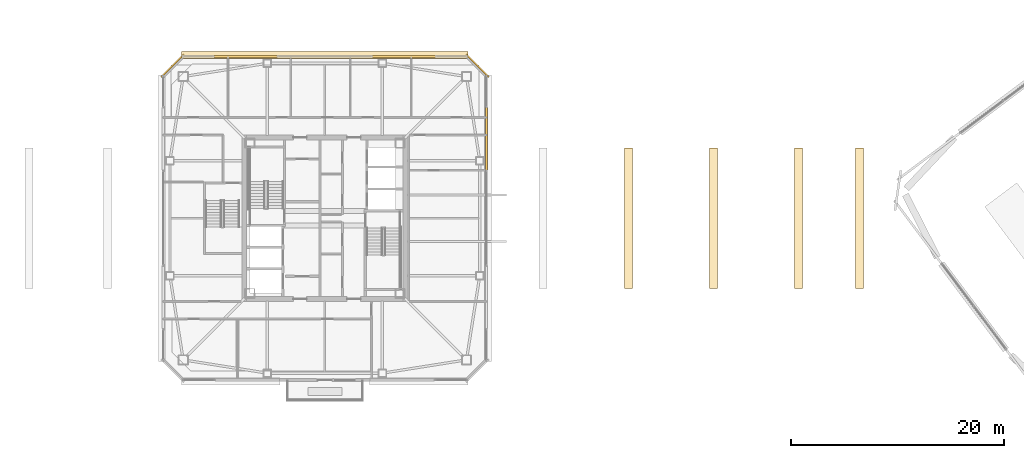
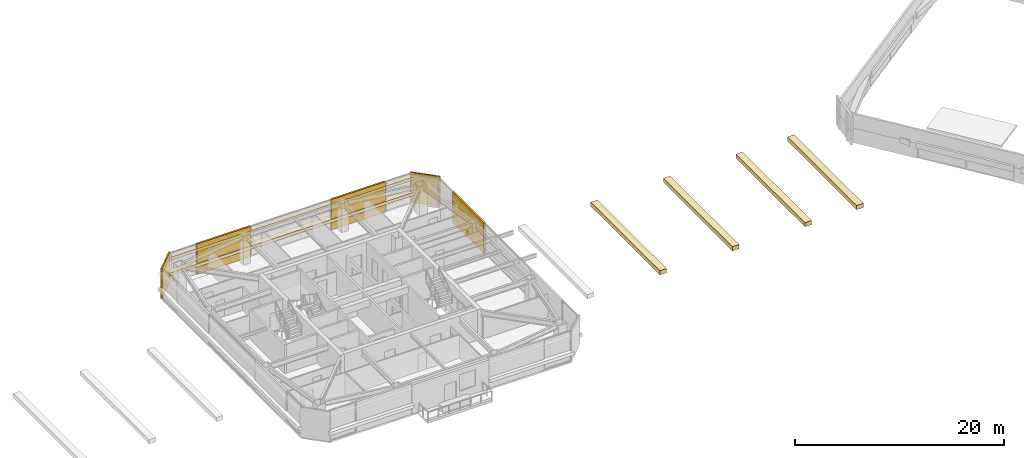
# One storey, part 31 of 31: 11 coverings.
"""IFC4 building model written with IfcOpenShell, lengths in metres."""

import ifcopenshell
import ifcopenshell.guid

model = None  # the IFC model being written
_history = None  # IfcOwnerHistory: only IFC2X3 demands one
_inside = {}  # id of a spatial element -> (the spatial element, [elements in it])
_under = {}  # id of a project, library or spatial element -> (it, [spatial elements below it])
_declared = {}  # id of a project -> (the project, [libraries it declares])
_typed = {}  # id of a type object -> (the type object, [elements of that type])
_made_of = {}  # id of a material, layer set ... -> (it, [elements and type objects made of it])


def new_model(schema):
    """Start an empty IFC model of exactly this schema.

    Asked for "IFC4X3", IfcOpenShell would pick the latest addendum, in which some entities
    have other attributes; the version numbers below select the first issue.
    IFC2X3 requires an IfcOwnerHistory on every rooted entity: one is made here for all.
    """
    global model, _history
    if schema == "IFC4X3":
        model = ifcopenshell.file(schema_version=(4, 3, 0, 0))
    else:
        model = ifcopenshell.file(schema=schema)
    _inside.clear()
    _under.clear()
    _declared.clear()
    _typed.clear()
    _made_of.clear()
    _history = None
    if model.schema == "IFC2X3":
        org = make("IfcOrganization", Name="unknown")
        user = make(
            "IfcPersonAndOrganization",
            ThePerson=make("IfcPerson", FamilyName="unknown"),
            TheOrganization=org,
        )
        app = make(
            "IfcApplication",
            ApplicationDeveloper=org,
            Version="unknown",
            ApplicationFullName="unknown",
            ApplicationIdentifier="unknown",
        )
        _history = make(
            "IfcOwnerHistory",
            OwningUser=user,
            OwningApplication=app,
            ChangeAction="ADDED",
            CreationDate=0,
        )
    return model


def make(cls, **values):
    """One entity of the class cls with the attributes given. An attribute that is None is left unset."""
    return model.create_entity(
        cls, **{name: value for name, value in values.items() if value is not None}
    )


def rooted(cls, **values):
    """An entity with a GlobalId (a new one), such as an element, a storey or a relation."""
    return make(cls, GlobalId=ifcopenshell.guid.new(), OwnerHistory=_history, **values)


def si_unit(unit_type, name, prefix=None):
    """IfcSIUnit, for example si_unit("LENGTHUNIT", "METRE", prefix="MILLI")."""
    return make("IfcSIUnit", UnitType=unit_type, Prefix=prefix, Name=name)


def assignment(units):
    """IfcUnitAssignment: the units of a project."""
    return None if units is None else make("IfcUnitAssignment", Units=units)


def point(xyz):
    """IfcCartesianPoint."""
    return None if xyz is None else make("IfcCartesianPoint", Coordinates=xyz)


def direction(xyz):
    """IfcDirection."""
    return None if xyz is None else make("IfcDirection", DirectionRatios=xyz)


def frame(location, z_axis=None, x_axis=None):
    """IfcAxis2Placement3D, a coordinate frame: its origin and axes. An axis left out is left unset."""
    return make(
        "IfcAxis2Placement3D",
        Location=point(location),
        Axis=direction(z_axis),
        RefDirection=direction(x_axis),
    )


def frame_2d(location, x_axis=None):
    """IfcAxis2Placement2D, a coordinate frame in the plane: its origin and x axis."""
    return make(
        "IfcAxis2Placement2D", Location=point(location), RefDirection=direction(x_axis)
    )


def origin():
    """The frame at (0, 0, 0) with its axes left unset."""
    return frame((0.0, 0.0, 0.0))


def origin_2d():
    """The frame at (0, 0) in the plane with its x axis left unset."""
    return frame_2d((0.0, 0.0))


def place(relative_to, where):
    """IfcLocalPlacement: puts the frame where relative to a parent placement (None: the world)."""
    return make(
        "IfcLocalPlacement", PlacementRelTo=relative_to, RelativePlacement=where
    )


def context(
    kind, dimensions, precision=None, world=None, true_north=None, identifier=None
):
    """IfcGeometricRepresentationContext, for example the 3D "Model" context."""
    return make(
        "IfcGeometricRepresentationContext",
        ContextIdentifier=identifier,
        ContextType=kind,
        CoordinateSpaceDimension=dimensions,
        Precision=precision,
        WorldCoordinateSystem=world,
        TrueNorth=true_north,
    )


def subcontext(parent, identifier, kind, view, scale=None):
    """IfcGeometricRepresentationSubContext, for example "Body" below "Model"."""
    return make(
        "IfcGeometricRepresentationSubContext",
        ContextIdentifier=identifier,
        ContextType=kind,
        ParentContext=parent,
        TargetScale=scale,
        TargetView=view,
    )


def project(units=None, contexts=None):
    """IfcProject with its units and contexts."""
    return rooted(
        "IfcProject",
        Name="project",
        RepresentationContexts=contexts,
        UnitsInContext=assignment(units),
    )


def spatial(cls, under=None, at=None, **own):
    """A site, building, storey or space (cls), placed at a placement, below another one or the project."""
    s = rooted(cls, ObjectPlacement=at, **own)
    if under is not None:
        _under.setdefault(under.id(), (under, []))[1].append(s)
    return s


def profile(cls, at=None, kind="AREA", **sizes):
    """A parametric profile (cls). Its sizes go by their IFC names, for example OverallWidth=200.0."""
    return make(cls, ProfileType=kind, Position=at, **sizes)


def rectangle(**sizes):
    """IfcRectangleProfileDef."""
    return profile("IfcRectangleProfileDef", **sizes)


def extrude(swept, where, along, depth):
    """IfcExtrudedAreaSolid: the profile swept, set in the frame where, extruded along a direction by depth."""
    return make(
        "IfcExtrudedAreaSolid",
        SweptArea=swept,
        Position=where,
        ExtrudedDirection=direction(along),
        Depth=depth,
    )


def shape(context_of_items, identifier, shape_type, items):
    """IfcShapeRepresentation: the items that make up one representation, for example the "Body"."""
    return make(
        "IfcShapeRepresentation",
        ContextOfItems=context_of_items,
        RepresentationIdentifier=identifier,
        RepresentationType=shape_type,
        Items=items,
    )


def material(Name=None, Category=None):
    """IfcMaterial."""
    return make("IfcMaterial", Name=Name, Category=Category)


def layer(
    of_material, thickness, ventilated=None, Name=None, Category=None, Priority=None
):
    """IfcMaterialLayer: one layer of a wall or slab, of a material (None: an air gap)."""
    return make(
        "IfcMaterialLayer",
        Material=of_material,
        LayerThickness=thickness,
        IsVentilated=ventilated,
        Name=Name,
        Category=Category,
        Priority=Priority,
    )


def layer_set(layers, Name=None):
    """IfcMaterialLayerSet."""
    return make("IfcMaterialLayerSet", MaterialLayers=layers, LayerSetName=Name)


def made_of(thing, what):
    """Note that an element or type object is made of a material, layer set ...; save() writes the relation."""
    if what is not None:
        _made_of.setdefault(what.id(), (what, []))[1].append(thing)
    return thing


def type_object(cls, material=None, **own):
    """A type object (cls), such as IfcWallType, which elements share."""
    return made_of(rooted(cls, **own), material)


def element(
    cls,
    number,
    at=None,
    inside=None,
    cuts=None,
    type_object=None,
    material=None,
    context=None,
    identifier="Body",
    shape_type=None,
    held_by="IfcProductDefinitionShape",
    body=None,
    shapes=None,
    **own,
):
    """One element of the class cls, such as IfcWall. Its Tag is "e" and its number.

    at: its placement. inside: the storey or other place that contains it. cuts: it is an
    opening in that element (IfcRelVoidsElement). A single representation is given by context,
    identifier, shape_type and body (its items); several are given by shapes. held_by: the class
    of the entity that holds the representations. save() writes the other relations.
    """
    e = rooted(cls, Tag="e%d" % number, ObjectPlacement=at, **own)
    if body is not None:
        shapes = [shape(context, identifier, shape_type, body)]
    if shapes is not None:
        e.Representation = make(held_by, Representations=shapes)
    if inside is not None:
        _inside.setdefault(inside.id(), (inside, []))[1].append(e)
    if cuts is not None:
        rooted(
            "IfcRelVoidsElement", RelatingBuildingElement=cuts, RelatedOpeningElement=e
        )
    if type_object is not None:
        _typed.setdefault(type_object.id(), (type_object, []))[1].append(e)
    return made_of(e, material)


def aggregate(whole, parts):
    """IfcRelAggregates: a whole, such as a stair, and the parts it consists of."""
    return rooted("IfcRelAggregates", RelatingObject=whole, RelatedObjects=parts)


def save(model, path):
    """Write the relations noted so far, then the file.

    IfcRelAggregates (storeys below a building ...), IfcRelContainedInSpatialStructure (elements
    in a storey), IfcRelDefinesByType, IfcRelAssociatesMaterial and IfcRelDeclares: one each for
    every whole, place, type object, material and project.
    """
    for whole, parts in _under.values():
        aggregate(whole, parts)
    for where, things in _inside.values():
        rooted(
            "IfcRelContainedInSpatialStructure",
            RelatedElements=things,
            RelatingStructure=where,
        )
    for kind, things in _typed.values():
        rooted("IfcRelDefinesByType", RelatedObjects=things, RelatingType=kind)
    for what, things in _made_of.values():
        rooted("IfcRelAssociatesMaterial", RelatedObjects=things, RelatingMaterial=what)
    for by, libraries in _declared.values():
        rooted("IfcRelDeclares", RelatingContext=by, RelatedDefinitions=libraries)
    model.write(path)


model = new_model("IFC4")

# Units and contexts
model_context = context("Model", 3, precision=1e-05, world=origin(), true_north=direction((0.0, 1.0)))
body_context = subcontext(model_context, "Body", "Model", "MODEL_VIEW")
ifc_project = project(units=[si_unit("LENGTHUNIT", "METRE"), si_unit("AREAUNIT", "SQUARE_METRE"), si_unit("VOLUMEUNIT", "CUBIC_METRE"), si_unit("PLANEANGLEUNIT", "RADIAN"), si_unit("MASSUNIT", "GRAM", prefix="KILO")], contexts=[model_context])

# Site, building, storey
site_placement = place(None, origin())
site = spatial("IfcSite", under=ifc_project, at=site_placement, CompositionType="ELEMENT")
building_placement = place(site_placement, origin())
building = spatial("IfcBuilding", under=site, at=building_placement, Name="Tashvorn Skyway Center", CompositionType="ELEMENT")
storey_placement = place(building_placement, frame((0.0, 0.0, 266.949951171875)))
storey = spatial("IfcBuildingStorey", under=building, at=storey_placement, Name="L72", CompositionType="ELEMENT", Elevation=266.949951171875)

# Coverings
ifc_material_1 = material(Name="Precast concrete C40/50", Category="concrete")
ifc_layer_1 = layer(ifc_material_1, 0.199951171875)
ifc_layer_set_1 = layer_set([ifc_layer_1], Name="Precast concrete C40/50")
covering_type_1 = type_object("IfcCoveringType", Name="COV-BRACE-CLAD", PredefinedType="CLADDING", material=ifc_layer_set_1)
for number, where, z_axis, x_axis, name in (
    (1, (34.566650390625, 47.179931640625, 0.0), (0.0, 0.0, 1.0), (1.0, 0.0, 0.0), "Tower 1 L72 North Unitised Curtain Wall Mega-Brace Cladding Band 1"),
    (2, (49.433349609375, 47.179931640625, 0.0), (0.0, 0.0, 1.0), (1.0, 0.0, 0.0), "Tower 1 L72 North Unitised Curtain Wall Mega-Brace Cladding Band 2"),
    (3, (57.179931640625, 39.433349609375, 0.0), (0.0, 0.0, 1.0), (0.0, -1.0, 0.0), "Tower 1 L72 East Unitised Curtain Wall Mega-Brace Cladding Band 1"),
):
    element("IfcCovering", number, at=place(storey_placement, frame(where, z_axis=z_axis, x_axis=x_axis)), inside=storey, type_object=covering_type_1, Name=name, PredefinedType="CLADDING", context=body_context, shape_type="SweptSolid", body=[
        extrude(rectangle(XDim=5.94677734375, YDim=0.199951171875, at=origin_2d()), origin(), (0.0, 0.0, 1.0), 3.550048828125),
    ])
ifc_material_2 = material(Name="Perforated ceramic-coated bronze aluminium solar screen", Category="aluminium")
ifc_layer_2 = layer(ifc_material_2, 0.85009765625)
ifc_layer_set_2 = layer_set([ifc_layer_2], Name="Perforated ceramic-coated bronze aluminium solar screen")
covering_type_2 = type_object("IfcCoveringType", Name="COV-SOLAR-BAND", PredefinedType="CLADDING", material=ifc_layer_set_2)
for number, where, z_axis, x_axis, name in (
    (4, (42.0, 47.320068359375, 0.919921875), (0.0, 0.0, 1.0), (1.0, 0.0, 0.0), "L72 Perforated Ceramic-Metal Solar Screen Louvre Band North 1"),
    (5, (42.0, 47.320068359375, 2.72021484375), (0.0, 0.0, 1.0), (1.0, 0.0, 0.0), "L72 Perforated Ceramic-Metal Solar Screen Louvre Band North 2"),
):
    element("IfcCovering", number, at=place(storey_placement, frame(where, z_axis=z_axis, x_axis=x_axis)), inside=storey, type_object=covering_type_2, Name=name, PredefinedType="CLADDING", context=body_context, shape_type="SweptSolid", body=[
        extrude(rectangle(XDim=26.8798828125, YDim=0.639892578125, at=origin_2d()), origin(), (0.0, 0.0, 1.0), 0.360107421875),
    ])
ifc_layer_3 = layer(ifc_material_1, 0.35009765625)
ifc_layer_set_3 = layer_set([ifc_layer_3], Name="Precast concrete C40/50")
covering_type_3 = type_object("IfcCoveringType", Name="COV-STONE-TRIM", PredefinedType="CLADDING", material=ifc_layer_set_3)
for number, where, z_axis, x_axis, name in (
    (6, (27.679931640625, 46.320068359375, 0.02001953125), (0.0, 0.0, 1.0), (-0.707106781187, -0.707106781187, 0.0), "Tower 1 L72 NW Mojave Limestone Corner Quoin"),
    (7, (56.320068359375, 46.320068359375, 0.02001953125), (0.0, 0.0, 1.0), (0.707106781187, -0.707106781187, 0.0), "Tower 1 L72 NE Mojave Limestone Corner Quoin"),
):
    element("IfcCovering", number, at=place(storey_placement, frame(where, z_axis=z_axis, x_axis=x_axis)), inside=storey, type_object=covering_type_3, Name=name, PredefinedType="CLADDING", context=body_context, shape_type="SweptSolid", body=[
        extrude(rectangle(XDim=2.98828125, YDim=0.139892578125, at=origin_2d()), origin(), (0.0, 0.0, 1.0), 3.510009765625),
    ])
for number, where, z_axis, x_axis, name in (
    (8, (70.5, 32.0, -0.3798828125), (0.0, 0.0, 1.0), (1.0, 0.0, 0.0), "Sky-Park Promenade Terracotta Pergola Trellis 5"),
    (9, (78.5, 32.0, -0.3798828125), (0.0, 0.0, 1.0), (1.0, 0.0, 0.0), "Sky-Park Promenade Terracotta Pergola Trellis 6"),
    (10, (86.5, 32.0, -0.3798828125), (0.0, 0.0, 1.0), (1.0, 0.0, 0.0), "Sky-Park Promenade Terracotta Pergola Trellis 7"),
    (11, (92.199951171875, 32.0, -0.3798828125), (0.0, 0.0, 1.0), (1.0, 0.0, 0.0), "Sky-Park Promenade Terracotta Pergola Trellis 8"),
):
    element("IfcCovering", number, at=place(storey_placement, frame(where, z_axis=z_axis, x_axis=x_axis)), inside=storey, type_object=covering_type_3, Name=name, PredefinedType="CLADDING", context=body_context, shape_type="SweptSolid", body=[
        extrude(rectangle(XDim=0.75, YDim=13.199951171875, at=origin_2d()), origin(), (0.0, 0.0, 1.0), 0.47998046875),
    ])

save(model, "model.ifc")
